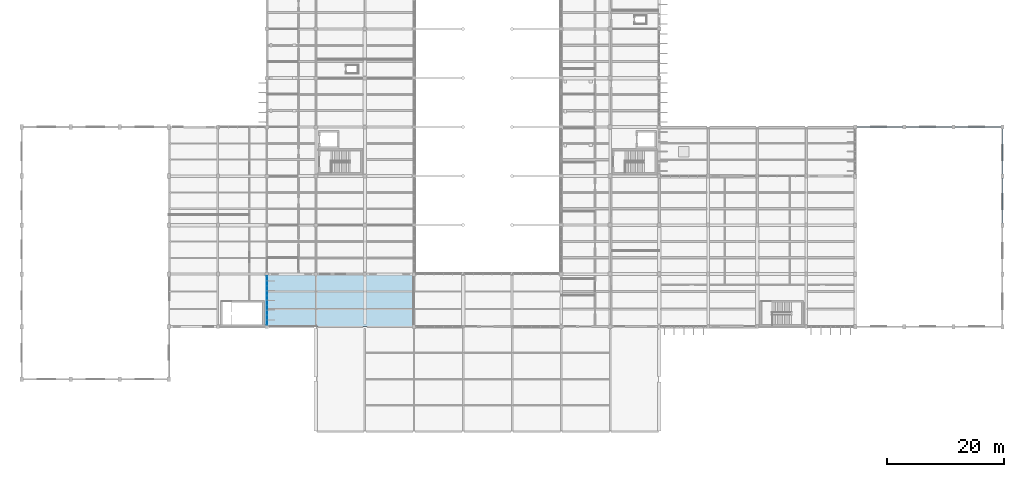
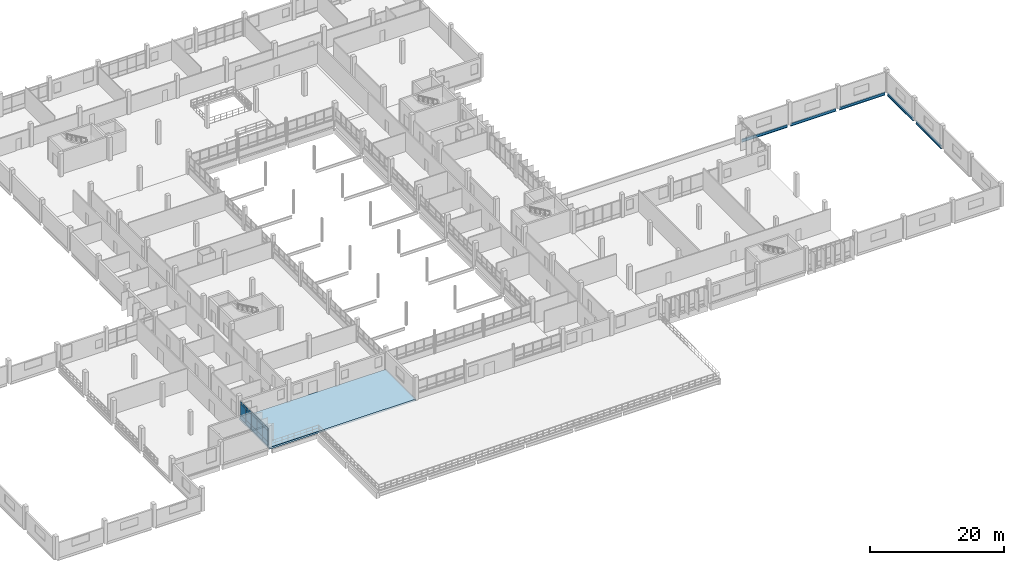
# One storey, part 71 of 101: 15 plates, 5 beams, 1 slab, 1 element without a shape of its own.
"""IFC4 building model written with IfcOpenShell, lengths in metres."""

from ifc_helpers import new_model, si_unit, direction, frame, origin, origin_2d, place, context, subcontext, project, spatial, polyline, rectangle, i_section, outline, extrude, material, layer, layer_set, material_profile, profile_set, type_object, element, aggregate, save


model = new_model("IFC4")

# Units and contexts
model_context = context("Model", 3, precision=1e-05, world=origin(), true_north=direction((0.0, 1.0)))
body_context = subcontext(model_context, "Body", "Model", "MODEL_VIEW")
ifc_project = project(units=[si_unit("LENGTHUNIT", "METRE"), si_unit("AREAUNIT", "SQUARE_METRE"), si_unit("VOLUMEUNIT", "CUBIC_METRE"), si_unit("PLANEANGLEUNIT", "RADIAN"), si_unit("MASSUNIT", "GRAM", prefix="KILO")], contexts=[model_context])

# Site, building, storey
site_placement = place(None, origin())
site = spatial("IfcSite", under=ifc_project, at=site_placement, CompositionType="ELEMENT")
building_placement = place(site_placement, origin())
building = spatial("IfcBuilding", under=site, at=building_placement, Name="Vireocrest Preparatory School", CompositionType="ELEMENT")
storey_placement = place(building_placement, frame((0.0, 0.0, 4.800048828125)))
storey = spatial("IfcBuildingStorey", under=building, at=storey_placement, Name="L01", CompositionType="ELEMENT", Elevation=4.800048828125)

# Beams
ifc_material_1 = material(Name="Structural steel ASTM A992 Grade 50", Category="steel")
ifc_material_profile = material_profile(ifc_material_1, i_section(OverallWidth=0.208984375, OverallDepth=0.532958984375, WebThickness=0.01025390625, FlangeThickness=0.015625, FilletRadius=0.014892578125, at=origin_2d()), Name="W21X62")
ifc_profile_set = profile_set([ifc_material_profile], Name="Structural steel ASTM A992 Grade 50")
beam_type = type_object("IfcBeamType", Name="Court Tie Girder W21X62", PredefinedType="BEAM", material=ifc_profile_set)
beam_1_placement = place(storey_placement, frame((168.0, 35.77001953125, -0.2666015625), z_axis=(0.0, 1.0, 0.0), x_axis=(-1.0, 0.0, 0.0)))
element("IfcBeam", 1, at=beam_1_placement, inside=storey, type_object=beam_type, Name="Hall Perimeter Wall Girt SB5 L01-15", PredefinedType="BEAM", context=body_context, shape_type="SweptSolid", body=[
    extrude(i_section(OverallWidth=0.208984375, OverallDepth=0.532958984375, WebThickness=0.01025390625, FlangeThickness=0.015625, FilletRadius=0.014892578125, at=origin_2d()), origin(), (0.0, 0.0, 1.0), 7.659912109375),
])
beam_2_placement = place(storey_placement, frame((168.0, 44.169921875, -0.2666015625), z_axis=(0.0, 1.0, 0.0), x_axis=(-1.0, 0.0, 0.0)))
element("IfcBeam", 2, at=beam_2_placement, inside=storey, type_object=beam_type, Name="Hall Perimeter Wall Girt SB5 L01-16", PredefinedType="BEAM", context=body_context, shape_type="SweptSolid", body=[
    extrude(i_section(OverallWidth=0.208984375, OverallDepth=0.532958984375, WebThickness=0.01025390625, FlangeThickness=0.015625, FilletRadius=0.014892578125, at=origin_2d()), origin(), (0.0, 0.0, 1.0), 7.66015625),
])
beam_3_placement = place(storey_placement, frame((143.070068359375, 52.199951171875, -0.2666015625), z_axis=(1.0, 0.0, 0.0), x_axis=(0.0, 1.0, 0.0)))
element("IfcBeam", 3, at=beam_3_placement, inside=storey, type_object=beam_type, Name="Hall Perimeter Wall Girt SB5 L01-20", PredefinedType="BEAM", context=body_context, shape_type="SweptSolid", body=[
    extrude(i_section(OverallWidth=0.208984375, OverallDepth=0.532958984375, WebThickness=0.01025390625, FlangeThickness=0.015625, FilletRadius=0.014892578125, at=origin_2d()), origin(), (0.0, 0.0, 1.0), 7.85986328125),
])
beam_4_placement = place(storey_placement, frame((151.469970703125, 52.199951171875, -0.2666015625), z_axis=(1.0, 0.0, 0.0), x_axis=(0.0, 1.0, 0.0)))
element("IfcBeam", 4, at=beam_4_placement, inside=storey, type_object=beam_type, Name="Hall Perimeter Wall Girt SB5 L01-21", PredefinedType="BEAM", context=body_context, shape_type="SweptSolid", body=[
    extrude(i_section(OverallWidth=0.208984375, OverallDepth=0.532958984375, WebThickness=0.01025390625, FlangeThickness=0.015625, FilletRadius=0.014892578125, at=origin_2d()), origin(), (0.0, 0.0, 1.0), 7.860107421875),
])
beam_5_placement = place(storey_placement, frame((159.8701171875, 52.199951171875, -0.2666015625), z_axis=(1.0, 0.0, 0.0), x_axis=(0.0, 1.0, 0.0)))
element("IfcBeam", 5, at=beam_5_placement, inside=storey, type_object=beam_type, Name="Hall Perimeter Wall Girt SB5 L01-22", PredefinedType="BEAM", context=body_context, shape_type="SweptSolid", body=[
    extrude(i_section(OverallWidth=0.208984375, OverallDepth=0.532958984375, WebThickness=0.01025390625, FlangeThickness=0.015625, FilletRadius=0.014892578125, at=origin_2d()), origin(), (0.0, 0.0, 1.0), 7.85986328125),
])

# Curtain wall, plates
ifc_material_2 = material(Name="Thermally broken aluminium EN AW-6063-T6", Category="aluminium")
ifc_layer_1 = layer(ifc_material_2, 0.179931640625)
ifc_layer_set_1 = layer_set([ifc_layer_1], Name="Thermally broken aluminium EN AW-6063-T6")
curtain_wall_type = type_object("IfcCurtainWallType", Name="Side Facade Curtain Wall 9000x4200", PredefinedType="USERDEFINED", material=ifc_layer_set_1)
curtain_wall_placement = place(storey_placement, origin())
curtain_wall = element("IfcCurtainWall", 6, at=curtain_wall_placement, inside=storey, type_object=curtain_wall_type, Name="Curtain Wall CW07 CW_L01_CW07_0420_0183_048", ObjectType="CURTAIN WALL", PredefinedType="USERDEFINED")
ifc_material_3 = material(Name="Insulated triple low-e tempered safety glass", Category="glass")
ifc_layer_2 = layer(ifc_material_3, 0.074951171875)
ifc_layer_set_2 = layer_set([ifc_layer_2], Name="Insulated triple low-e tempered safety glass")
plate_type_1 = type_object("IfcPlateType", Name="Acoustic Triple-Glazed Lab Curtain Panel 75", PredefinedType="CURTAIN_PANEL", material=ifc_layer_set_2)
plate_1_placement = place(storey_placement, frame((42.0, 19.16796875, 0.88232421875), z_axis=(0.0, 0.0, 1.0), x_axis=(0.0, 1.0, 0.0)))
plate_1 = element("IfcPlate", 7, at=plate_1_placement, type_object=plate_type_1, Name="CW Panel GL2 CW_L01_CW07_0420_0183_048-1-2", PredefinedType="CURTAIN_PANEL", context=body_context, shape_type="SweptSolid", body=[
    extrude(rectangle(XDim=1.60107421875, YDim=0.074951171875, at=origin_2d()), origin(), (0.0, 0.0, 1.0), 1.906982421875),
])
plate_2_placement = place(storey_placement, frame((42.0, 19.16796875, 2.8544921875), z_axis=(0.0, 0.0, 1.0), x_axis=(0.0, 1.0, 0.0)))
plate_2 = element("IfcPlate", 8, at=plate_2_placement, type_object=plate_type_1, Name="CW Panel GL2 CW_L01_CW07_0420_0183_048-1-3", PredefinedType="CURTAIN_PANEL", context=body_context, shape_type="SweptSolid", body=[
    extrude(rectangle(XDim=1.60107421875, YDim=0.074951171875, at=origin_2d()), origin(), (0.0, 0.0, 1.0), 0.409912109375),
])
plate_3_placement = place(storey_placement, frame((42.0, 20.833984375, 0.88232421875), z_axis=(0.0, 0.0, 1.0), x_axis=(0.0, 1.0, 0.0)))
plate_3 = element("IfcPlate", 9, at=plate_3_placement, type_object=plate_type_1, Name="CW Panel GL2 CW_L01_CW07_0420_0183_048-2-2", PredefinedType="CURTAIN_PANEL", context=body_context, shape_type="SweptSolid", body=[
    extrude(rectangle(XDim=1.60107421875, YDim=0.074951171875, at=origin_2d()), origin(), (0.0, 0.0, 1.0), 1.906982421875),
])
plate_4_placement = place(storey_placement, frame((42.0, 20.833984375, 2.8544921875), z_axis=(0.0, 0.0, 1.0), x_axis=(0.0, 1.0, 0.0)))
plate_4 = element("IfcPlate", 10, at=plate_4_placement, type_object=plate_type_1, Name="CW Panel GL2 CW_L01_CW07_0420_0183_048-2-3", PredefinedType="CURTAIN_PANEL", context=body_context, shape_type="SweptSolid", body=[
    extrude(rectangle(XDim=1.60107421875, YDim=0.074951171875, at=origin_2d()), origin(), (0.0, 0.0, 1.0), 0.409912109375),
])
plate_5_placement = place(storey_placement, frame((42.0, 22.5, 0.88232421875), z_axis=(0.0, 0.0, 1.0), x_axis=(0.0, 1.0, 0.0)))
plate_5 = element("IfcPlate", 11, at=plate_5_placement, type_object=plate_type_1, Name="CW Panel GL2 CW_L01_CW07_0420_0183_048-3-2", PredefinedType="CURTAIN_PANEL", context=body_context, shape_type="SweptSolid", body=[
    extrude(rectangle(XDim=1.60107421875, YDim=0.074951171875, at=origin_2d()), origin(), (0.0, 0.0, 1.0), 1.906982421875),
])
plate_6_placement = place(storey_placement, frame((42.0, 22.5, 2.8544921875), z_axis=(0.0, 0.0, 1.0), x_axis=(0.0, 1.0, 0.0)))
plate_6 = element("IfcPlate", 12, at=plate_6_placement, type_object=plate_type_1, Name="CW Panel GL2 CW_L01_CW07_0420_0183_048-3-3", PredefinedType="CURTAIN_PANEL", context=body_context, shape_type="SweptSolid", body=[
    extrude(rectangle(XDim=1.60107421875, YDim=0.074951171875, at=origin_2d()), origin(), (0.0, 0.0, 1.0), 0.409912109375),
])
plate_7_placement = place(storey_placement, frame((42.0, 24.166015625, 0.88232421875), z_axis=(0.0, 0.0, 1.0), x_axis=(0.0, 1.0, 0.0)))
plate_7 = element("IfcPlate", 13, at=plate_7_placement, type_object=plate_type_1, Name="CW Panel GL2 CW_L01_CW07_0420_0183_048-4-2", PredefinedType="CURTAIN_PANEL", context=body_context, shape_type="SweptSolid", body=[
    extrude(rectangle(XDim=1.60107421875, YDim=0.074951171875, at=origin_2d()), origin(), (0.0, 0.0, 1.0), 1.906982421875),
])
plate_8_placement = place(storey_placement, frame((42.0, 24.166015625, 2.8544921875), z_axis=(0.0, 0.0, 1.0), x_axis=(0.0, 1.0, 0.0)))
plate_8 = element("IfcPlate", 14, at=plate_8_placement, type_object=plate_type_1, Name="CW Panel GL2 CW_L01_CW07_0420_0183_048-4-3", PredefinedType="CURTAIN_PANEL", context=body_context, shape_type="SweptSolid", body=[
    extrude(rectangle(XDim=1.60107421875, YDim=0.074951171875, at=origin_2d()), origin(), (0.0, 0.0, 1.0), 0.409912109375),
])
plate_9_placement = place(storey_placement, frame((42.0, 25.83203125, 0.88232421875), z_axis=(0.0, 0.0, 1.0), x_axis=(0.0, 1.0, 0.0)))
plate_9 = element("IfcPlate", 15, at=plate_9_placement, type_object=plate_type_1, Name="CW Panel GL2 CW_L01_CW07_0420_0183_048-5-2", PredefinedType="CURTAIN_PANEL", context=body_context, shape_type="SweptSolid", body=[
    extrude(rectangle(XDim=1.60107421875, YDim=0.074951171875, at=origin_2d()), origin(), (0.0, 0.0, 1.0), 1.906982421875),
])
plate_10_placement = place(storey_placement, frame((42.0, 25.83203125, 2.8544921875), z_axis=(0.0, 0.0, 1.0), x_axis=(0.0, 1.0, 0.0)))
plate_10 = element("IfcPlate", 16, at=plate_10_placement, type_object=plate_type_1, Name="CW Panel GL2 CW_L01_CW07_0420_0183_048-5-3", PredefinedType="CURTAIN_PANEL", context=body_context, shape_type="SweptSolid", body=[
    extrude(rectangle(XDim=1.60107421875, YDim=0.074951171875, at=origin_2d()), origin(), (0.0, 0.0, 1.0), 0.409912109375),
])
ifc_material_4 = material(Name="Painted white aluminium cladding EN AW-6063-T6", Category="aluminium")
ifc_layer_3 = layer(ifc_material_4, 0.114990234375)
ifc_layer_set_3 = layer_set([ifc_layer_3], Name="Painted white aluminium cladding EN AW-6063-T6")
plate_type_2 = type_object("IfcPlateType", Name="Insulated White Spandrel Curtain Panel 115", PredefinedType="CURTAIN_PANEL", material=ifc_layer_set_3)
plate_11_placement = place(storey_placement, frame((42.0, 19.16796875, 0.12744140625), z_axis=(0.0, 0.0, 1.0), x_axis=(0.0, 1.0, 0.0)))
plate_11 = element("IfcPlate", 17, at=plate_11_placement, type_object=plate_type_2, Name="CW Panel SP2 CW_L01_CW07_0420_0183_048-1-1", PredefinedType="CURTAIN_PANEL", context=body_context, shape_type="SweptSolid", body=[
    extrude(rectangle(XDim=1.60107421875, YDim=0.114990234375, at=origin_2d()), origin(), (0.0, 0.0, 1.0), 0.68994140625),
])
plate_12_placement = place(storey_placement, frame((42.0, 20.833984375, 0.12744140625), z_axis=(0.0, 0.0, 1.0), x_axis=(0.0, 1.0, 0.0)))
plate_12 = element("IfcPlate", 18, at=plate_12_placement, type_object=plate_type_2, Name="CW Panel SP2 CW_L01_CW07_0420_0183_048-2-1", PredefinedType="CURTAIN_PANEL", context=body_context, shape_type="SweptSolid", body=[
    extrude(rectangle(XDim=1.60107421875, YDim=0.114990234375, at=origin_2d()), origin(), (0.0, 0.0, 1.0), 0.68994140625),
])
plate_13_placement = place(storey_placement, frame((42.0, 22.5, 0.12744140625), z_axis=(0.0, 0.0, 1.0), x_axis=(0.0, 1.0, 0.0)))
plate_13 = element("IfcPlate", 19, at=plate_13_placement, type_object=plate_type_2, Name="CW Panel SP2 CW_L01_CW07_0420_0183_048-3-1", PredefinedType="CURTAIN_PANEL", context=body_context, shape_type="SweptSolid", body=[
    extrude(rectangle(XDim=1.60107421875, YDim=0.114990234375, at=origin_2d()), origin(), (0.0, 0.0, 1.0), 0.68994140625),
])
plate_14_placement = place(storey_placement, frame((42.0, 24.166015625, 0.12744140625), z_axis=(0.0, 0.0, 1.0), x_axis=(0.0, 1.0, 0.0)))
plate_14 = element("IfcPlate", 20, at=plate_14_placement, type_object=plate_type_2, Name="CW Panel SP2 CW_L01_CW07_0420_0183_048-4-1", PredefinedType="CURTAIN_PANEL", context=body_context, shape_type="SweptSolid", body=[
    extrude(rectangle(XDim=1.60107421875, YDim=0.114990234375, at=origin_2d()), origin(), (0.0, 0.0, 1.0), 0.68994140625),
])
plate_15_placement = place(storey_placement, frame((42.0, 25.83203125, 0.12744140625), z_axis=(0.0, 0.0, 1.0), x_axis=(0.0, 1.0, 0.0)))
plate_15 = element("IfcPlate", 21, at=plate_15_placement, type_object=plate_type_2, Name="CW Panel SP2 CW_L01_CW07_0420_0183_048-5-1", PredefinedType="CURTAIN_PANEL", context=body_context, shape_type="SweptSolid", body=[
    extrude(rectangle(XDim=1.60107421875, YDim=0.114990234375, at=origin_2d()), origin(), (0.0, 0.0, 1.0), 0.68994140625),
])
aggregate(curtain_wall, [plate_11, plate_1, plate_2, plate_12, plate_3, plate_4, plate_13, plate_5, plate_6, plate_14, plate_7, plate_8, plate_15, plate_9, plate_10])

# Slab
ifc_material_5 = material(Name="Concrete 40 MPa", Category="concrete")
ifc_layer_4 = layer(ifc_material_5, 0.320068359375)
ifc_layer_set_4 = layer_set([ifc_layer_4], Name="Concrete 40 MPa")
slab_type = type_object("IfcSlabType", Name="Outdoor Play Deck and Terrace Structural Slab 320", PredefinedType="FLOOR", material=ifc_layer_set_4)
slab_placement = place(storey_placement, frame((0.0, 0.0, -0.320068359375)))
element("IfcSlab", 22, at=slab_placement, inside=storey, type_object=slab_type, Name="Slab L01_WEST_SOUTH_ROOF", PredefinedType="FLOOR", context=body_context, shape_type="SweptSolid", body=[
    extrude(outline(polyline([(42.0, 18.0), (67.199951171875, 18.0), (67.199951171875, 27.0), (42.0, 27.0), (42.0, 18.0)])), origin(), (0.0, 0.0, 1.0), 0.320068359375),
])

save(model, "model.ifc")
